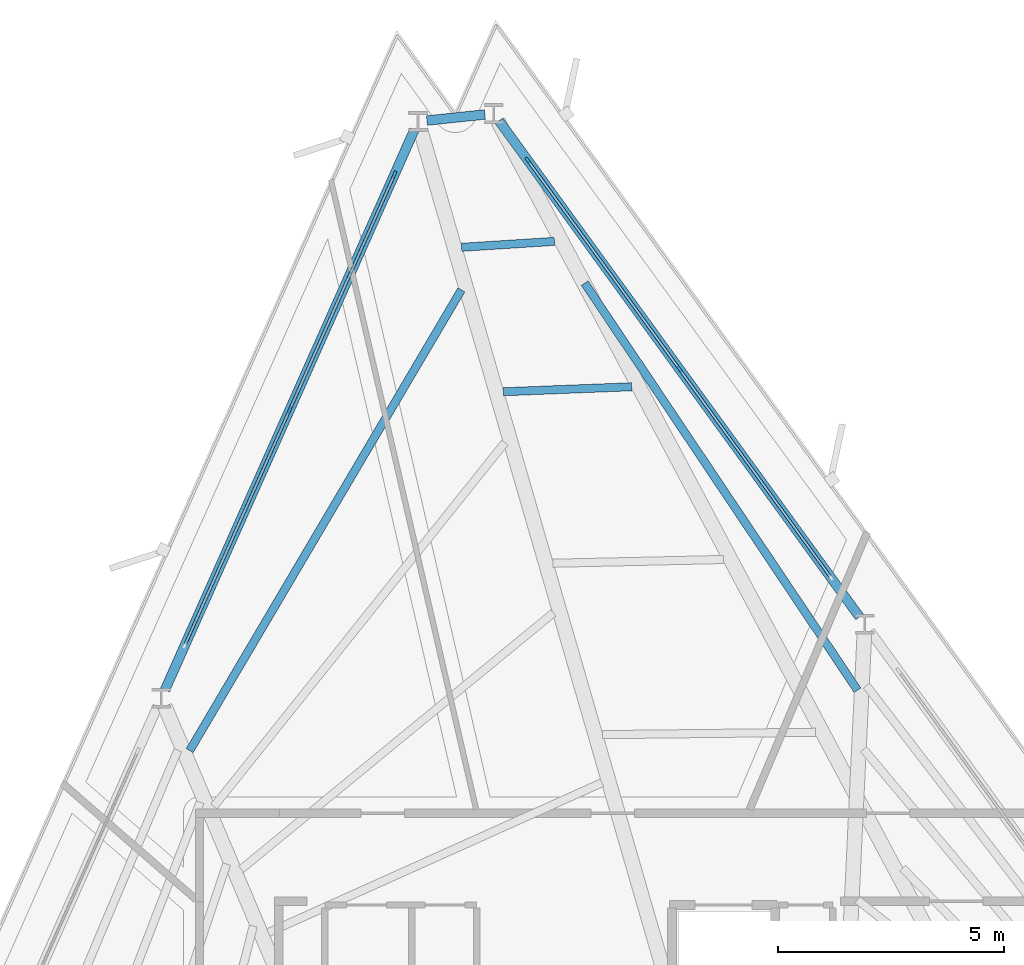
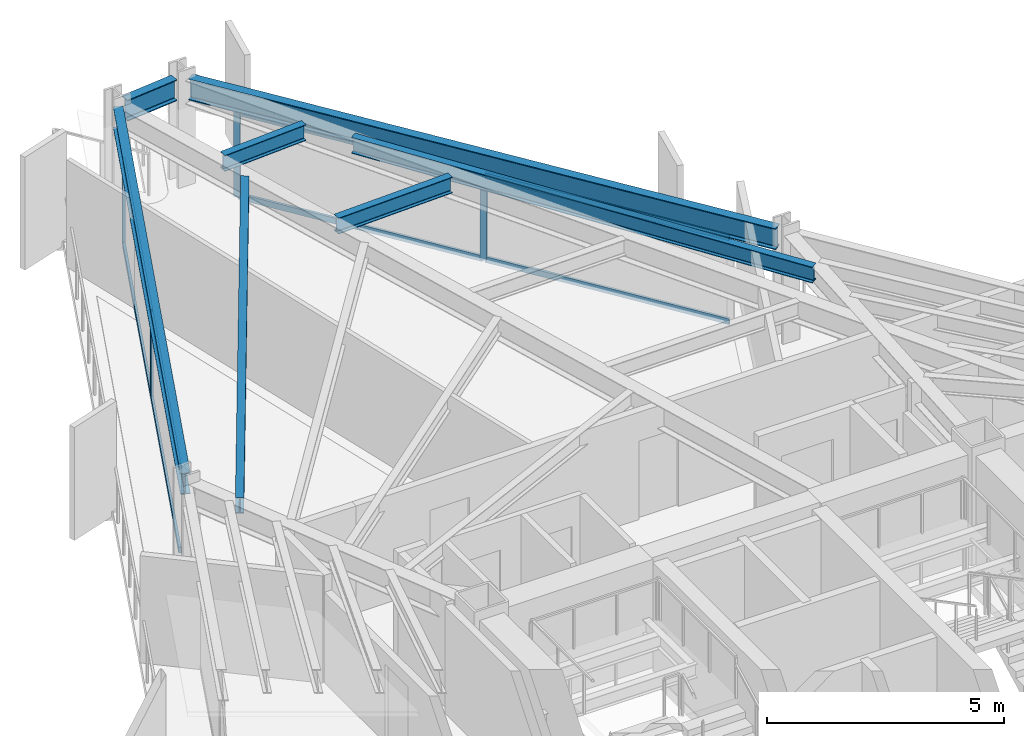
# One storey, part 6 of 12: 12 members, 7 beams, 2 elements without a shape of their own.
"""IFC4 building model written with IfcOpenShell, lengths in metres."""

import ifcopenshell
import ifcopenshell.guid

model = None  # the IFC model being written
_history = None  # IfcOwnerHistory: only IFC2X3 demands one
_inside = {}  # id of a spatial element -> (the spatial element, [elements in it])
_under = {}  # id of a project, library or spatial element -> (it, [spatial elements below it])
_declared = {}  # id of a project -> (the project, [libraries it declares])
_typed = {}  # id of a type object -> (the type object, [elements of that type])
_made_of = {}  # id of a material, layer set ... -> (it, [elements and type objects made of it])


def new_model(schema):
    """Start an empty IFC model of exactly this schema.

    Asked for "IFC4X3", IfcOpenShell would pick the latest addendum, in which some entities
    have other attributes; the version numbers below select the first issue.
    IFC2X3 requires an IfcOwnerHistory on every rooted entity: one is made here for all.
    """
    global model, _history
    if schema == "IFC4X3":
        model = ifcopenshell.file(schema_version=(4, 3, 0, 0))
    else:
        model = ifcopenshell.file(schema=schema)
    _inside.clear()
    _under.clear()
    _declared.clear()
    _typed.clear()
    _made_of.clear()
    _history = None
    if model.schema == "IFC2X3":
        org = make("IfcOrganization", Name="unknown")
        user = make(
            "IfcPersonAndOrganization",
            ThePerson=make("IfcPerson", FamilyName="unknown"),
            TheOrganization=org,
        )
        app = make(
            "IfcApplication",
            ApplicationDeveloper=org,
            Version="unknown",
            ApplicationFullName="unknown",
            ApplicationIdentifier="unknown",
        )
        _history = make(
            "IfcOwnerHistory",
            OwningUser=user,
            OwningApplication=app,
            ChangeAction="ADDED",
            CreationDate=0,
        )
    return model


def make(cls, **values):
    """One entity of the class cls with the attributes given. An attribute that is None is left unset."""
    return model.create_entity(
        cls, **{name: value for name, value in values.items() if value is not None}
    )


def rooted(cls, **values):
    """An entity with a GlobalId (a new one), such as an element, a storey or a relation."""
    return make(cls, GlobalId=ifcopenshell.guid.new(), OwnerHistory=_history, **values)


def si_unit(unit_type, name, prefix=None):
    """IfcSIUnit, for example si_unit("LENGTHUNIT", "METRE", prefix="MILLI")."""
    return make("IfcSIUnit", UnitType=unit_type, Prefix=prefix, Name=name)


def assignment(units):
    """IfcUnitAssignment: the units of a project."""
    return None if units is None else make("IfcUnitAssignment", Units=units)


def point(xyz):
    """IfcCartesianPoint."""
    return None if xyz is None else make("IfcCartesianPoint", Coordinates=xyz)


def direction(xyz):
    """IfcDirection."""
    return None if xyz is None else make("IfcDirection", DirectionRatios=xyz)


def frame(location, z_axis=None, x_axis=None):
    """IfcAxis2Placement3D, a coordinate frame: its origin and axes. An axis left out is left unset."""
    return make(
        "IfcAxis2Placement3D",
        Location=point(location),
        Axis=direction(z_axis),
        RefDirection=direction(x_axis),
    )


def frame_2d(location, x_axis=None):
    """IfcAxis2Placement2D, a coordinate frame in the plane: its origin and x axis."""
    return make(
        "IfcAxis2Placement2D", Location=point(location), RefDirection=direction(x_axis)
    )


def origin():
    """The frame at (0, 0, 0) with its axes left unset."""
    return frame((0.0, 0.0, 0.0))


def origin_2d():
    """The frame at (0, 0) in the plane with its x axis left unset."""
    return frame_2d((0.0, 0.0))


def place(relative_to, where):
    """IfcLocalPlacement: puts the frame where relative to a parent placement (None: the world)."""
    return make(
        "IfcLocalPlacement", PlacementRelTo=relative_to, RelativePlacement=where
    )


def context(
    kind, dimensions, precision=None, world=None, true_north=None, identifier=None
):
    """IfcGeometricRepresentationContext, for example the 3D "Model" context."""
    return make(
        "IfcGeometricRepresentationContext",
        ContextIdentifier=identifier,
        ContextType=kind,
        CoordinateSpaceDimension=dimensions,
        Precision=precision,
        WorldCoordinateSystem=world,
        TrueNorth=true_north,
    )


def subcontext(parent, identifier, kind, view, scale=None):
    """IfcGeometricRepresentationSubContext, for example "Body" below "Model"."""
    return make(
        "IfcGeometricRepresentationSubContext",
        ContextIdentifier=identifier,
        ContextType=kind,
        ParentContext=parent,
        TargetScale=scale,
        TargetView=view,
    )


def project(units=None, contexts=None):
    """IfcProject with its units and contexts."""
    return rooted(
        "IfcProject",
        Name="project",
        RepresentationContexts=contexts,
        UnitsInContext=assignment(units),
    )


def spatial(cls, under=None, at=None, **own):
    """A site, building, storey or space (cls), placed at a placement, below another one or the project."""
    s = rooted(cls, ObjectPlacement=at, **own)
    if under is not None:
        _under.setdefault(under.id(), (under, []))[1].append(s)
    return s


def profile(cls, at=None, kind="AREA", **sizes):
    """A parametric profile (cls). Its sizes go by their IFC names, for example OverallWidth=200.0."""
    return make(cls, ProfileType=kind, Position=at, **sizes)


def rectangle(**sizes):
    """IfcRectangleProfileDef."""
    return profile("IfcRectangleProfileDef", **sizes)


def i_section(**sizes):
    """IfcIShapeProfileDef."""
    return profile("IfcIShapeProfileDef", **sizes)


def extrude(swept, where, along, depth):
    """IfcExtrudedAreaSolid: the profile swept, set in the frame where, extruded along a direction by depth."""
    return make(
        "IfcExtrudedAreaSolid",
        SweptArea=swept,
        Position=where,
        ExtrudedDirection=direction(along),
        Depth=depth,
    )


def shape(context_of_items, identifier, shape_type, items):
    """IfcShapeRepresentation: the items that make up one representation, for example the "Body"."""
    return make(
        "IfcShapeRepresentation",
        ContextOfItems=context_of_items,
        RepresentationIdentifier=identifier,
        RepresentationType=shape_type,
        Items=items,
    )


def material(Name=None, Category=None):
    """IfcMaterial."""
    return make("IfcMaterial", Name=Name, Category=Category)


def layer(
    of_material, thickness, ventilated=None, Name=None, Category=None, Priority=None
):
    """IfcMaterialLayer: one layer of a wall or slab, of a material (None: an air gap)."""
    return make(
        "IfcMaterialLayer",
        Material=of_material,
        LayerThickness=thickness,
        IsVentilated=ventilated,
        Name=Name,
        Category=Category,
        Priority=Priority,
    )


def layer_set(layers, Name=None):
    """IfcMaterialLayerSet."""
    return make("IfcMaterialLayerSet", MaterialLayers=layers, LayerSetName=Name)


def material_profile(
    of_material, cross_section, Name=None, Category=None, Priority=None
):
    """IfcMaterialProfile: a cross section and its material."""
    return make(
        "IfcMaterialProfile",
        Name=Name,
        Material=of_material,
        Profile=cross_section,
        Priority=Priority,
        Category=Category,
    )


def profile_set(profiles, Name=None, composite=None):
    """IfcMaterialProfileSet."""
    return make(
        "IfcMaterialProfileSet",
        Name=Name,
        MaterialProfiles=profiles,
        CompositeProfile=composite,
    )


def made_of(thing, what):
    """Note that an element or type object is made of a material, layer set ...; save() writes the relation."""
    if what is not None:
        _made_of.setdefault(what.id(), (what, []))[1].append(thing)
    return thing


def type_object(cls, material=None, **own):
    """A type object (cls), such as IfcWallType, which elements share."""
    return made_of(rooted(cls, **own), material)


def element(
    cls,
    number,
    at=None,
    inside=None,
    cuts=None,
    type_object=None,
    material=None,
    context=None,
    identifier="Body",
    shape_type=None,
    held_by="IfcProductDefinitionShape",
    body=None,
    shapes=None,
    **own,
):
    """One element of the class cls, such as IfcWall. Its Tag is "e" and its number.

    at: its placement. inside: the storey or other place that contains it. cuts: it is an
    opening in that element (IfcRelVoidsElement). A single representation is given by context,
    identifier, shape_type and body (its items); several are given by shapes. held_by: the class
    of the entity that holds the representations. save() writes the other relations.
    """
    e = rooted(cls, Tag="e%d" % number, ObjectPlacement=at, **own)
    if body is not None:
        shapes = [shape(context, identifier, shape_type, body)]
    if shapes is not None:
        e.Representation = make(held_by, Representations=shapes)
    if inside is not None:
        _inside.setdefault(inside.id(), (inside, []))[1].append(e)
    if cuts is not None:
        rooted(
            "IfcRelVoidsElement", RelatingBuildingElement=cuts, RelatedOpeningElement=e
        )
    if type_object is not None:
        _typed.setdefault(type_object.id(), (type_object, []))[1].append(e)
    return made_of(e, material)


def aggregate(whole, parts):
    """IfcRelAggregates: a whole, such as a stair, and the parts it consists of."""
    return rooted("IfcRelAggregates", RelatingObject=whole, RelatedObjects=parts)


def save(model, path):
    """Write the relations noted so far, then the file.

    IfcRelAggregates (storeys below a building ...), IfcRelContainedInSpatialStructure (elements
    in a storey), IfcRelDefinesByType, IfcRelAssociatesMaterial and IfcRelDeclares: one each for
    every whole, place, type object, material and project.
    """
    for whole, parts in _under.values():
        aggregate(whole, parts)
    for where, things in _inside.values():
        rooted(
            "IfcRelContainedInSpatialStructure",
            RelatedElements=things,
            RelatingStructure=where,
        )
    for kind, things in _typed.values():
        rooted("IfcRelDefinesByType", RelatedObjects=things, RelatingType=kind)
    for what, things in _made_of.values():
        rooted("IfcRelAssociatesMaterial", RelatedObjects=things, RelatingMaterial=what)
    for by, libraries in _declared.values():
        rooted("IfcRelDeclares", RelatingContext=by, RelatedDefinitions=libraries)
    model.write(path)


model = new_model("IFC4")

# Units and contexts
model_context = context("Model", 3, precision=1e-05, world=origin(), true_north=direction((0.0, 1.0)))
body_context = subcontext(model_context, "Body", "Model", "MODEL_VIEW")
ifc_project = project(units=[si_unit("LENGTHUNIT", "METRE"), si_unit("AREAUNIT", "SQUARE_METRE"), si_unit("VOLUMEUNIT", "CUBIC_METRE"), si_unit("PLANEANGLEUNIT", "RADIAN"), si_unit("MASSUNIT", "GRAM", prefix="KILO")], contexts=[model_context])

# Site, building, storey
site_placement = place(None, origin())
site = spatial("IfcSite", under=ifc_project, at=site_placement, CompositionType="ELEMENT")
building_placement = place(site_placement, origin())
building = spatial("IfcBuilding", under=site, at=building_placement, Name="Rocaltana Carrier Exchange", CompositionType="ELEMENT")
storey_placement = place(building_placement, frame((0.0, 0.0, 113.760009765625)))
storey = spatial("IfcBuildingStorey", under=building, at=storey_placement, Name="L35", CompositionType="ELEMENT", Elevation=113.760009765625)

# Curtain wall, members
ifc_material_1 = material(Name="Aluminium 6063-T6", Category="aluminium")
ifc_layer = layer(ifc_material_1, 0.14990234375)
ifc_layer_set = layer_set([ifc_layer], Name="Aluminium 6063-T6")
curtain_wall_type = type_object("IfcCurtainWallType", Name="Mid-Tower Unitised Curtain Wall CW-03", PredefinedType="NOTDEFINED", material=ifc_layer_set)
curtain_wall_1_placement = place(storey_placement, origin())
curtain_wall_1 = element("IfcCurtainWall", 1, at=curtain_wall_1_placement, inside=storey, type_object=curtain_wall_type, Name="L35 CW-03 Run CW-L35-F1S3", PredefinedType="NOTDEFINED")
ifc_material_2 = material(Name="Aluminium 6063-T6", Category="aluminium")
ifc_material_profile_1 = material_profile(ifc_material_2, rectangle(XDim=0.06005859375, YDim=0.14990234375, at=origin_2d()), Name="AL-60X150")
ifc_profile_set_1 = profile_set([ifc_material_profile_1], Name="Aluminium 6063-T6")
member_type_1 = type_object("IfcMemberType", Name="CW-03 Mullion AL-60X150", PredefinedType="MULLION", material=ifc_profile_set_1)
member_1_placement = place(storey_placement, frame((2.363037109375, 18.980712890625, 0.0), z_axis=(0.0, 0.0, 1.0), x_axis=(-0.809013555195, -0.587789985889, 0.0)))
member_1 = element("IfcMember", 2, at=member_1_placement, type_object=member_type_1, Name="CW-03 mullion 2", PredefinedType="MULLION", context=body_context, shape_type="SweptSolid", body=[
    extrude(rectangle(XDim=0.06005859375, YDim=0.14990234375, at=origin_2d()), origin(), (0.0, 0.0, 1.0), 2.218017578125),
])
member_2_placement = place(storey_placement, frame((-0.9892578125, 23.5947265625, 0.0), z_axis=(0.0, 0.0, 1.0), x_axis=(-0.809013555195, -0.587789985889, 0.0)))
member_2 = element("IfcMember", 3, at=member_2_placement, type_object=member_type_1, Name="CW-03 mullion 3", PredefinedType="MULLION", context=body_context, shape_type="SweptSolid", body=[
    extrude(rectangle(XDim=0.06005859375, YDim=0.14990234375, at=origin_2d()), origin(), (0.0, 0.0, 1.0), 2.218017578125),
])

curtain_wall_2_placement = place(storey_placement, origin())
curtain_wall_2 = element("IfcCurtainWall", 4, at=curtain_wall_2_placement, inside=storey, type_object=curtain_wall_type, Name="L35 CW-03 Run CW-L35-F2S1", PredefinedType="NOTDEFINED")
member_3_placement = place(storey_placement, frame((-3.93798828125, 23.284912109375, 0.0), z_axis=(0.0, 0.0, 1.0), x_axis=(0.913543791084, -0.406740386206, 0.0)))
member_3 = element("IfcMember", 5, at=member_3_placement, type_object=member_type_1, Name="CW-03 mullion 1", PredefinedType="MULLION", context=body_context, shape_type="SweptSolid", body=[
    extrude(rectangle(XDim=0.06005859375, YDim=0.14990234375, at=origin_2d()), origin(), (0.0, 0.0, 1.0), 2.218017578125),
])
member_4_placement = place(storey_placement, frame((-6.2578125, 18.074462890625, 0.0), z_axis=(0.0, 0.0, 1.0), x_axis=(0.913543791084, -0.406740386206, 0.0)))
member_4 = element("IfcMember", 6, at=member_4_placement, type_object=member_type_1, Name="CW-03 mullion 2", PredefinedType="MULLION", context=body_context, shape_type="SweptSolid", body=[
    extrude(rectangle(XDim=0.06005859375, YDim=0.14990234375, at=origin_2d()), origin(), (0.0, 0.0, 1.0), 2.218017578125),
])

# Member
ifc_material_3 = material(Name="Aluminium 6063-T6", Category="aluminium")
ifc_material_profile_2 = material_profile(ifc_material_3, rectangle(XDim=0.06005859375, YDim=0.14990234375, at=origin_2d()), Name="AL-60X150")
ifc_profile_set_2 = profile_set([ifc_material_profile_2], Name="Aluminium 6063-T6")
member_type_2 = type_object("IfcMemberType", Name="CW-03 Transom AL-60X150", PredefinedType="USERDEFINED", material=ifc_profile_set_2)
member_5_placement = place(storey_placement, frame((5.69775390625, 14.390869140625, 0.030029296875), z_axis=(-0.587803791035, 0.809003524866, 0.0), x_axis=(-0.809003524866, -0.587803791035, 0.0)))
member_5 = element("IfcMember", 7, at=member_5_placement, type_object=member_type_2, Name="CW-03 transom 1.1", ObjectType="TRANSOM", PredefinedType="USERDEFINED", context=body_context, shape_type="SweptSolid", body=[
    extrude(rectangle(XDim=0.06005859375, YDim=0.14990234375, at=origin_2d()), origin(), (0.0, 0.0, 1.0), 5.643310546875),
])

member_6_placement = place(storey_placement, frame((5.69775390625, 14.390869140625, 2.18798828125), z_axis=(-0.587803791035, 0.809003524866, 0.0), x_axis=(-0.809003524866, -0.587803791035, 0.0)))
member_6 = element("IfcMember", 8, at=member_6_placement, type_object=member_type_2, Name="CW-03 transom 1.2", ObjectType="TRANSOM", PredefinedType="USERDEFINED", context=body_context, shape_type="SweptSolid", body=[
    extrude(rectangle(XDim=0.06005859375, YDim=0.14990234375, at=origin_2d()), origin(), (0.0, 0.0, 1.0), 5.643310546875),
])

member_7_placement = place(storey_placement, frame((2.345458984375, 19.0048828125, 0.030029296875), z_axis=(-0.58778321885, 0.809018471753, 0.0), x_axis=(-0.809018471753, -0.58778321885, 0.0)))
member_7 = element("IfcMember", 9, at=member_7_placement, type_object=member_type_2, Name="CW-03 transom 2.1", ObjectType="TRANSOM", PredefinedType="USERDEFINED", context=body_context, shape_type="SweptSolid", body=[
    extrude(rectangle(XDim=0.06005859375, YDim=0.14990234375, at=origin_2d()), origin(), (0.0, 0.0, 1.0), 5.6435546875),
])

member_8_placement = place(storey_placement, frame((2.345458984375, 19.0048828125, 2.18798828125), z_axis=(-0.58778321885, 0.809018471753, 0.0), x_axis=(-0.809018471753, -0.58778321885, 0.0)))
member_8 = element("IfcMember", 10, at=member_8_placement, type_object=member_type_2, Name="CW-03 transom 2.2", ObjectType="TRANSOM", PredefinedType="USERDEFINED", context=body_context, shape_type="SweptSolid", body=[
    extrude(rectangle(XDim=0.06005859375, YDim=0.14990234375, at=origin_2d()), origin(), (0.0, 0.0, 1.0), 5.6435546875),
])

aggregate(curtain_wall_1, [member_1, member_2, member_5, member_6, member_7, member_8])

member_9_placement = place(storey_placement, frame((-3.9501953125, 23.25732421875, 0.030029296875), z_axis=(-0.406740464784, -0.913543756099, 0.0), x_axis=(0.913543756099, -0.406740464784, 0.0)))
member_9 = element("IfcMember", 11, at=member_9_placement, type_object=member_type_2, Name="CW-03 transom 1.1", ObjectType="TRANSOM", PredefinedType="USERDEFINED", context=body_context, shape_type="SweptSolid", body=[
    extrude(rectangle(XDim=0.06005859375, YDim=0.14990234375, at=origin_2d()), origin(), (0.0, 0.0, 1.0), 5.643310546875),
])

member_10_placement = place(storey_placement, frame((-3.9501953125, 23.25732421875, 2.18798828125), z_axis=(-0.406740464784, -0.913543756099, 0.0), x_axis=(0.913543756099, -0.406740464784, 0.0)))
member_10 = element("IfcMember", 12, at=member_10_placement, type_object=member_type_2, Name="CW-03 transom 1.2", ObjectType="TRANSOM", PredefinedType="USERDEFINED", context=body_context, shape_type="SweptSolid", body=[
    extrude(rectangle(XDim=0.06005859375, YDim=0.14990234375, at=origin_2d()), origin(), (0.0, 0.0, 1.0), 5.643310546875),
])

member_11_placement = place(storey_placement, frame((-6.27001953125, 18.047119140625, 0.030029296875), z_axis=(-0.406704359788, -0.913559830405, 0.0), x_axis=(0.913559830405, -0.406704359788, 0.0)))
member_11 = element("IfcMember", 13, at=member_11_placement, type_object=member_type_2, Name="CW-03 transom 2.1", ObjectType="TRANSOM", PredefinedType="USERDEFINED", context=body_context, shape_type="SweptSolid", body=[
    extrude(rectangle(XDim=0.06005859375, YDim=0.14990234375, at=origin_2d()), origin(), (0.0, 0.0, 1.0), 5.643310546875),
])

member_12_placement = place(storey_placement, frame((-6.27001953125, 18.047119140625, 2.18798828125), z_axis=(-0.406704359788, -0.913559830405, 0.0), x_axis=(0.913559830405, -0.406704359788, 0.0)))
member_12 = element("IfcMember", 14, at=member_12_placement, type_object=member_type_2, Name="CW-03 transom 2.2", ObjectType="TRANSOM", PredefinedType="USERDEFINED", context=body_context, shape_type="SweptSolid", body=[
    extrude(rectangle(XDim=0.06005859375, YDim=0.14990234375, at=origin_2d()), origin(), (0.0, 0.0, 1.0), 5.643310546875),
])

aggregate(curtain_wall_2, [member_3, member_4, member_9, member_10, member_11, member_12])

# Beams
ifc_material_4 = material(Name="Steel S355", Category="steel")
ifc_material_profile_3 = material_profile(ifc_material_4, i_section(OverallWidth=0.179931640625, OverallDepth=0.4130859375, WebThickness=0.009765625, FlangeThickness=0.01611328125, FilletRadius=0.012939453125, at=origin_2d()), Name="W16X50")
ifc_profile_set_3 = profile_set([ifc_material_profile_3], Name="Steel S355")
beam_type_1 = type_object("IfcBeamType", Name="Floor Joist W16X50", PredefinedType="JOIST", material=ifc_profile_set_3)
beam_1_placement = place(storey_placement, frame((6.3056640625, 11.87109375, 2.58154296875), z_axis=(-0.556730424086, 0.830693225503, 0.0), x_axis=(-0.830693225503, -0.556730424086, 0.0)))
element("IfcBeam", 15, at=beam_1_placement, inside=storey, type_object=beam_type_1, Name="FJ-L35-03-4", PredefinedType="JOIST", context=body_context, shape_type="SweptSolid", body=[
    extrude(i_section(OverallWidth=0.179931640625, OverallDepth=0.4130859375, WebThickness=0.009765625, FlangeThickness=0.01611328125, FilletRadius=0.012939453125, at=origin_2d()), origin(), (0.0, 0.0, 1.0), 10.841552734375),
])
beam_2_placement = place(storey_placement, frame((1.31005859375, 18.585205078125, 2.58154296875), z_axis=(-0.999236623871, -0.039066219613, 0.0), x_axis=(0.039066219613, -0.999236623871, 0.0)))
element("IfcBeam", 16, at=beam_2_placement, inside=storey, type_object=beam_type_1, Name="FJ-L35-04-3", PredefinedType="JOIST", context=body_context, shape_type="SweptSolid", body=[
    extrude(i_section(OverallWidth=0.179931640625, OverallDepth=0.4130859375, WebThickness=0.009765625, FlangeThickness=0.01611328125, FilletRadius=0.012939453125, at=origin_2d()), origin(), (0.0, 0.0, 1.0), 2.843505859375),
])
beam_3_placement = place(storey_placement, frame((-0.400390625, 21.802001953125, 2.58154296875), z_axis=(-0.99795348831, -0.063944000261, 0.0), x_axis=(0.063944000261, -0.99795348831, 0.0)))
element("IfcBeam", 17, at=beam_3_placement, inside=storey, type_object=beam_type_1, Name="FJ-L35-04-4", PredefinedType="JOIST", context=body_context, shape_type="SweptSolid", body=[
    extrude(i_section(OverallWidth=0.179931640625, OverallDepth=0.4130859375, WebThickness=0.009765625, FlangeThickness=0.01611328125, FilletRadius=0.012939453125, at=origin_2d()), origin(), (0.0, 0.0, 1.0), 2.057861328125),
])
beam_4_placement = place(storey_placement, frame((-2.45849609375, 20.72802734375, 2.58154296875), z_axis=(-0.507982665152, -0.861367292103, 0.0), x_axis=(0.861367292103, -0.507982665152, 0.0)))
element("IfcBeam", 18, at=beam_4_placement, inside=storey, type_object=beam_type_1, Name="FJ-L35-05-4", PredefinedType="JOIST", context=body_context, shape_type="SweptSolid", body=[
    extrude(i_section(OverallWidth=0.179931640625, OverallDepth=0.4130859375, WebThickness=0.009765625, FlangeThickness=0.01611328125, FilletRadius=0.012939453125, at=origin_2d()), origin(), (0.0, 0.0, 1.0), 11.83447265625),
])
ifc_material_5 = material(Name="Steel S355", Category="steel")
ifc_material_profile_4 = material_profile(ifc_material_5, i_section(OverallWidth=0.2119140625, OverallDepth=0.5439453125, WebThickness=0.01318359375, FlangeThickness=0.021240234375, FilletRadius=0.014892578125, at=origin_2d()), Name="W21X83")
ifc_profile_set_4 = profile_set([ifc_material_profile_4], Name="Steel S355")
beam_type_2 = type_object("IfcBeamType", Name="Spandrel Edge Beam W21X83", PredefinedType="SPANDREL", material=ifc_profile_set_4)
beam_5_placement = place(storey_placement, frame((6.351318359375, 13.4912109375, 2.515869140625), z_axis=(-0.587777981524, 0.809022276847, 0.0), x_axis=(-0.809022276847, -0.587777981524, 0.0)))
element("IfcBeam", 19, at=beam_5_placement, inside=storey, type_object=beam_type_2, Name="SP-L35-03", PredefinedType="SPANDREL", context=body_context, shape_type="SweptSolid", body=[
    extrude(i_section(OverallWidth=0.2119140625, OverallDepth=0.5439453125, WebThickness=0.01318359375, FlangeThickness=0.021240234375, FilletRadius=0.014892578125, at=origin_2d()), origin(), (0.0, 0.0, 1.0), 13.57080078125),
])
beam_6_placement = place(storey_placement, frame((-1.9384765625, 24.609619140625, 2.515869140625), z_axis=(-0.994519972374, -0.104546757713, 0.0), x_axis=(0.104546757713, -0.994519972374, 0.0)))
element("IfcBeam", 20, at=beam_6_placement, inside=storey, type_object=beam_type_2, Name="SP-L35-04", PredefinedType="SPANDREL", context=body_context, shape_type="SweptSolid", body=[
    extrude(i_section(OverallWidth=0.2119140625, OverallDepth=0.5439453125, WebThickness=0.01318359375, FlangeThickness=0.021240234375, FilletRadius=0.014892578125, at=origin_2d()), origin(), (0.0, 0.0, 1.0), 1.2890625),
])
beam_7_placement = place(storey_placement, frame((-3.497802734375, 24.273193359375, 2.515869140625), z_axis=(-0.406740957499, -0.913543536725, 0.0), x_axis=(0.913543536725, -0.406740957499, 0.0)))
element("IfcBeam", 21, at=beam_7_placement, inside=storey, type_object=beam_type_2, Name="SP-L35-05", PredefinedType="SPANDREL", context=body_context, shape_type="SweptSolid", body=[
    extrude(i_section(OverallWidth=0.2119140625, OverallDepth=0.5439453125, WebThickness=0.01318359375, FlangeThickness=0.021240234375, FilletRadius=0.014892578125, at=origin_2d()), origin(), (0.0, 0.0, 1.0), 13.57080078125),
])

save(model, "model.ifc")
